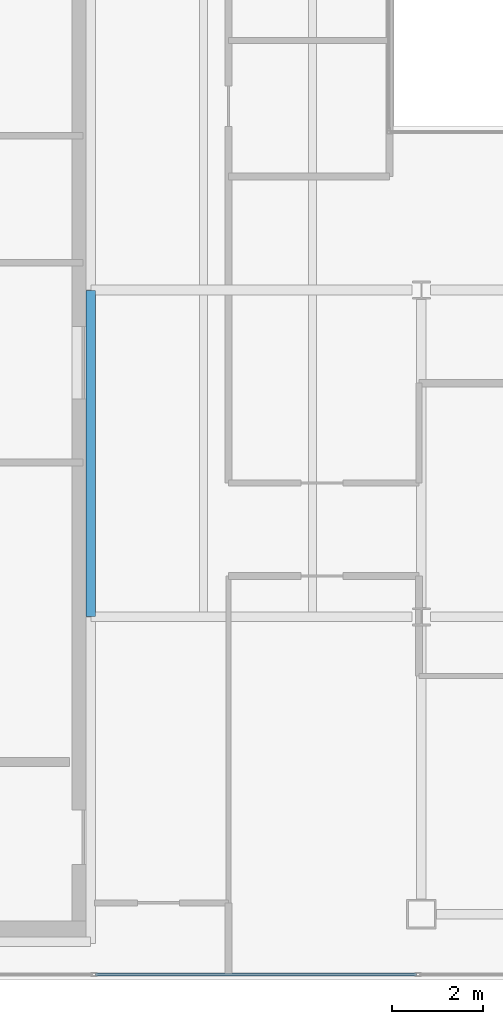
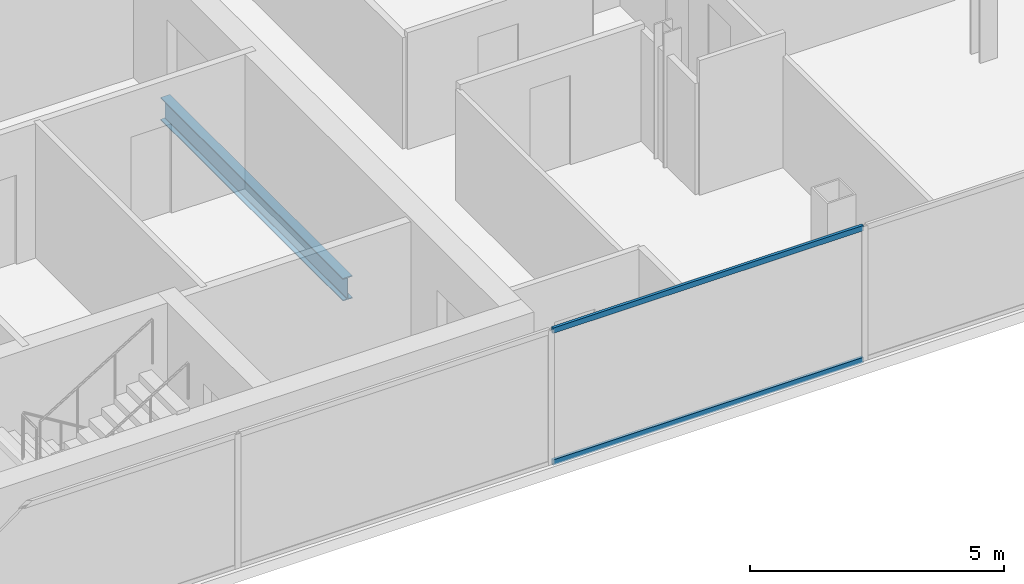
# One storey, part 4 of 23: 2 members, 1 beam, 1 element without a shape of its own.
"""IFC4 building model written with IfcOpenShell, lengths in metres."""

from ifc_helpers import new_model, si_unit, direction, frame, origin, origin_2d, place, context, subcontext, project, spatial, hollow_rectangle, i_section, extrude, material, material_profile, profile_set, type_object, element, aggregate, save


model = new_model("IFC4")

# Units and contexts
model_context = context("Model", 3, precision=1e-05, world=origin(), true_north=direction((0.0, 1.0)))
body_context = subcontext(model_context, "Body", "Model", "MODEL_VIEW")
ifc_project = project(units=[si_unit("LENGTHUNIT", "METRE"), si_unit("AREAUNIT", "SQUARE_METRE"), si_unit("VOLUMEUNIT", "CUBIC_METRE"), si_unit("PLANEANGLEUNIT", "RADIAN"), si_unit("MASSUNIT", "GRAM", prefix="KILO")], contexts=[model_context])

# Site, building, storey
site_placement = place(None, origin())
site = spatial("IfcSite", under=ifc_project, at=site_placement, CompositionType="ELEMENT")
building_placement = place(site_placement, origin())
building = spatial("IfcBuilding", under=site, at=building_placement, Name="Cobrela Telecom Tower", CompositionType="ELEMENT")
storey_placement = place(building_placement, frame((0.0, 0.0, 258.64990234375)))
storey = spatial("IfcBuildingStorey", under=building, at=storey_placement, Name="L67", CompositionType="ELEMENT", Elevation=258.64990234375)

# Beam
ifc_material_1 = material(Name="Steel ASTM A992 Grade 50", Category="steel")
ifc_material_profile_1 = material_profile(ifc_material_1, i_section(OverallWidth=0.212890625, OverallDepth=0.549072265625, WebThickness=0.0146484375, FlangeThickness=0.023681640625, FilletRadius=0.013916015625, at=origin_2d()), Name="W21X93")
ifc_profile_set_1 = profile_set([ifc_material_profile_1], Name="Steel ASTM A992 Grade 50")
beam_type = type_object("IfcBeamType", Name="BM-GIRD-08", PredefinedType="USERDEFINED", material=ifc_profile_set_1)
beam_placement = place(storey_placement, frame((14.320068359375, 14.405029296875, -0.534423828125), z_axis=(0.0, 1.0, 0.0), x_axis=(-1.0, 0.0, 0.0)))
element("IfcBeam", 1, at=beam_placement, inside=storey, type_object=beam_type, Name="L67 Primary Girder Y22", ObjectType="GIRDER", PredefinedType="USERDEFINED", context=body_context, shape_type="SweptSolid", body=[
    extrude(i_section(OverallWidth=0.212890625, OverallDepth=0.549072265625, WebThickness=0.0146484375, FlangeThickness=0.023681640625, FilletRadius=0.013916015625, at=origin_2d()), origin(), (0.0, 0.0, 1.0), 7.18994140625),
])

# Curtain wall, members
ifc_material_2 = material(Name="Anodized Bronze Aluminium 6063-T6", Category="aluminium")
curtain_wall_type = type_object("IfcCurtainWallType", Name="CW-SYS-OFF-HI", PredefinedType="USERDEFINED", material=ifc_material_2)
curtain_wall_placement = place(storey_placement, origin())
curtain_wall = element("IfcCurtainWall", 2, at=curtain_wall_placement, inside=storey, type_object=curtain_wall_type, Name="L67 Unitised Bronze Curtain Wall 15", ObjectType="UNITISED CURTAIN WALL", PredefinedType="USERDEFINED")
ifc_material_profile_2 = material_profile(ifc_material_2, hollow_rectangle(XDim=0.06494140625, YDim=0.1298828125, WallThickness=0.00390625, at=origin_2d()), Name="ALU 65x130x4")
ifc_profile_set_2 = profile_set([ifc_material_profile_2], Name="Anodized Bronze Aluminium 6063-T6")
member_type = type_object("IfcMemberType", Name="CW-SYS-OFF-HI-TRN", PredefinedType="USERDEFINED", material=ifc_profile_set_2)
member_1_placement = place(storey_placement, frame((21.489990234375, 6.52001953125, 0.03271484375), z_axis=(-1.0, 0.0, 0.0), x_axis=(0.0, -1.0, 0.0)))
member_1 = element("IfcMember", 3, at=member_1_placement, type_object=member_type, Name="CW-OFF-HI transom 4.1", ObjectType="TRANSOM", PredefinedType="USERDEFINED", context=body_context, shape_type="SweptSolid", body=[
    extrude(hollow_rectangle(XDim=0.06494140625, YDim=0.1298828125, WallThickness=0.00390625, at=origin_2d()), origin(), (0.0, 0.0, 1.0), 7.06494140625),
])
member_2_placement = place(storey_placement, frame((21.489990234375, 6.52001953125, 3.20751953125), z_axis=(-1.0, 0.0, 0.0), x_axis=(0.0, -1.0, 0.0)))
member_2 = element("IfcMember", 4, at=member_2_placement, type_object=member_type, Name="CW-OFF-HI transom 4.2", ObjectType="TRANSOM", PredefinedType="USERDEFINED", context=body_context, shape_type="SweptSolid", body=[
    extrude(hollow_rectangle(XDim=0.06494140625, YDim=0.1298828125, WallThickness=0.00390625, at=origin_2d()), origin(), (0.0, 0.0, 1.0), 7.06494140625),
])
aggregate(curtain_wall, [member_1, member_2])

save(model, "model.ifc")
